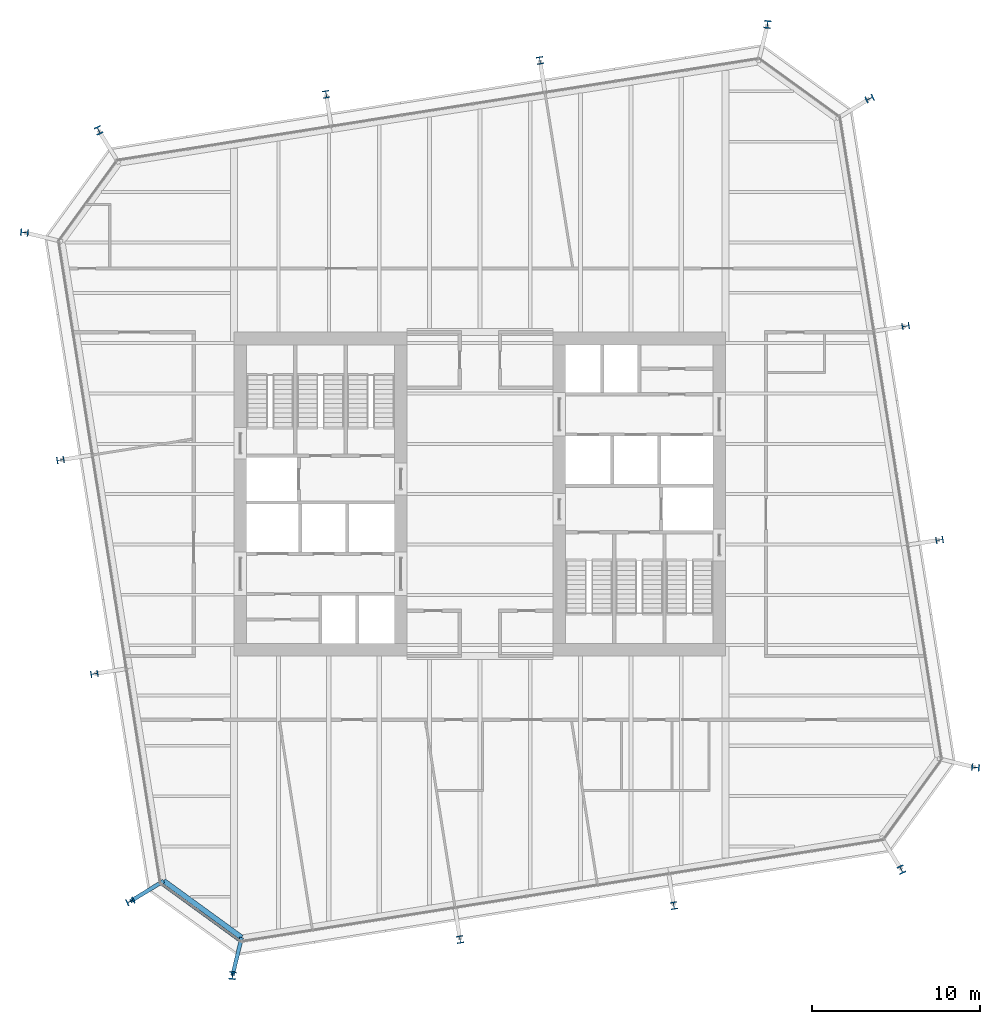
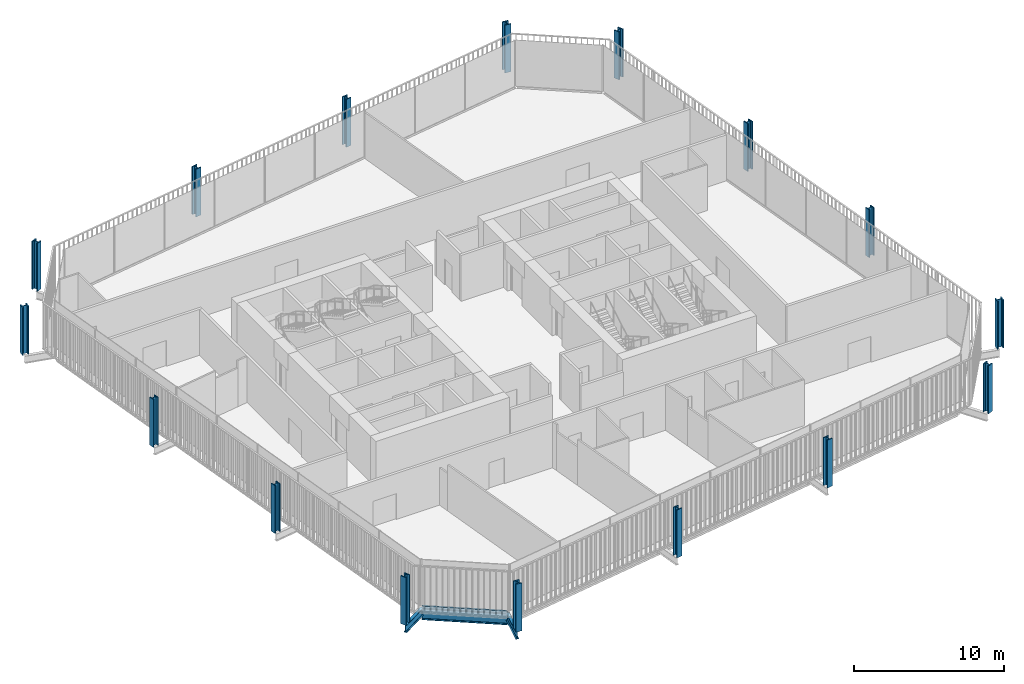
# One storey, part 1 of 21: 16 columns, 3 beams, 1 member, 1 element without a shape of its own.
"""IFC4 building model written with IfcOpenShell, lengths in metres."""

import ifcopenshell
import ifcopenshell.guid

model = None  # the IFC model being written
_history = None  # IfcOwnerHistory: only IFC2X3 demands one
_inside = {}  # id of a spatial element -> (the spatial element, [elements in it])
_under = {}  # id of a project, library or spatial element -> (it, [spatial elements below it])
_declared = {}  # id of a project -> (the project, [libraries it declares])
_typed = {}  # id of a type object -> (the type object, [elements of that type])
_made_of = {}  # id of a material, layer set ... -> (it, [elements and type objects made of it])


def new_model(schema):
    """Start an empty IFC model of exactly this schema.

    Asked for "IFC4X3", IfcOpenShell would pick the latest addendum, in which some entities
    have other attributes; the version numbers below select the first issue.
    IFC2X3 requires an IfcOwnerHistory on every rooted entity: one is made here for all.
    """
    global model, _history
    if schema == "IFC4X3":
        model = ifcopenshell.file(schema_version=(4, 3, 0, 0))
    else:
        model = ifcopenshell.file(schema=schema)
    _inside.clear()
    _under.clear()
    _declared.clear()
    _typed.clear()
    _made_of.clear()
    _history = None
    if model.schema == "IFC2X3":
        org = make("IfcOrganization", Name="unknown")
        user = make(
            "IfcPersonAndOrganization",
            ThePerson=make("IfcPerson", FamilyName="unknown"),
            TheOrganization=org,
        )
        app = make(
            "IfcApplication",
            ApplicationDeveloper=org,
            Version="unknown",
            ApplicationFullName="unknown",
            ApplicationIdentifier="unknown",
        )
        _history = make(
            "IfcOwnerHistory",
            OwningUser=user,
            OwningApplication=app,
            ChangeAction="ADDED",
            CreationDate=0,
        )
    return model


def make(cls, **values):
    """One entity of the class cls with the attributes given. An attribute that is None is left unset."""
    return model.create_entity(
        cls, **{name: value for name, value in values.items() if value is not None}
    )


def rooted(cls, **values):
    """An entity with a GlobalId (a new one), such as an element, a storey or a relation."""
    return make(cls, GlobalId=ifcopenshell.guid.new(), OwnerHistory=_history, **values)


def si_unit(unit_type, name, prefix=None):
    """IfcSIUnit, for example si_unit("LENGTHUNIT", "METRE", prefix="MILLI")."""
    return make("IfcSIUnit", UnitType=unit_type, Prefix=prefix, Name=name)


def assignment(units):
    """IfcUnitAssignment: the units of a project."""
    return None if units is None else make("IfcUnitAssignment", Units=units)


def point(xyz):
    """IfcCartesianPoint."""
    return None if xyz is None else make("IfcCartesianPoint", Coordinates=xyz)


def direction(xyz):
    """IfcDirection."""
    return None if xyz is None else make("IfcDirection", DirectionRatios=xyz)


def frame(location, z_axis=None, x_axis=None):
    """IfcAxis2Placement3D, a coordinate frame: its origin and axes. An axis left out is left unset."""
    return make(
        "IfcAxis2Placement3D",
        Location=point(location),
        Axis=direction(z_axis),
        RefDirection=direction(x_axis),
    )


def frame_2d(location, x_axis=None):
    """IfcAxis2Placement2D, a coordinate frame in the plane: its origin and x axis."""
    return make(
        "IfcAxis2Placement2D", Location=point(location), RefDirection=direction(x_axis)
    )


def origin():
    """The frame at (0, 0, 0) with its axes left unset."""
    return frame((0.0, 0.0, 0.0))


def origin_2d():
    """The frame at (0, 0) in the plane with its x axis left unset."""
    return frame_2d((0.0, 0.0))


def place(relative_to, where):
    """IfcLocalPlacement: puts the frame where relative to a parent placement (None: the world)."""
    return make(
        "IfcLocalPlacement", PlacementRelTo=relative_to, RelativePlacement=where
    )


def context(
    kind, dimensions, precision=None, world=None, true_north=None, identifier=None
):
    """IfcGeometricRepresentationContext, for example the 3D "Model" context."""
    return make(
        "IfcGeometricRepresentationContext",
        ContextIdentifier=identifier,
        ContextType=kind,
        CoordinateSpaceDimension=dimensions,
        Precision=precision,
        WorldCoordinateSystem=world,
        TrueNorth=true_north,
    )


def subcontext(parent, identifier, kind, view, scale=None):
    """IfcGeometricRepresentationSubContext, for example "Body" below "Model"."""
    return make(
        "IfcGeometricRepresentationSubContext",
        ContextIdentifier=identifier,
        ContextType=kind,
        ParentContext=parent,
        TargetScale=scale,
        TargetView=view,
    )


def project(units=None, contexts=None):
    """IfcProject with its units and contexts."""
    return rooted(
        "IfcProject",
        Name="project",
        RepresentationContexts=contexts,
        UnitsInContext=assignment(units),
    )


def spatial(cls, under=None, at=None, **own):
    """A site, building, storey or space (cls), placed at a placement, below another one or the project."""
    s = rooted(cls, ObjectPlacement=at, **own)
    if under is not None:
        _under.setdefault(under.id(), (under, []))[1].append(s)
    return s


def profile(cls, at=None, kind="AREA", **sizes):
    """A parametric profile (cls). Its sizes go by their IFC names, for example OverallWidth=200.0."""
    return make(cls, ProfileType=kind, Position=at, **sizes)


def rectangle(**sizes):
    """IfcRectangleProfileDef."""
    return profile("IfcRectangleProfileDef", **sizes)


def i_section(**sizes):
    """IfcIShapeProfileDef."""
    return profile("IfcIShapeProfileDef", **sizes)


def extrude(swept, where, along, depth):
    """IfcExtrudedAreaSolid: the profile swept, set in the frame where, extruded along a direction by depth."""
    return make(
        "IfcExtrudedAreaSolid",
        SweptArea=swept,
        Position=where,
        ExtrudedDirection=direction(along),
        Depth=depth,
    )


def shape(context_of_items, identifier, shape_type, items):
    """IfcShapeRepresentation: the items that make up one representation, for example the "Body"."""
    return make(
        "IfcShapeRepresentation",
        ContextOfItems=context_of_items,
        RepresentationIdentifier=identifier,
        RepresentationType=shape_type,
        Items=items,
    )


def material(Name=None, Category=None):
    """IfcMaterial."""
    return make("IfcMaterial", Name=Name, Category=Category)


def layer(
    of_material, thickness, ventilated=None, Name=None, Category=None, Priority=None
):
    """IfcMaterialLayer: one layer of a wall or slab, of a material (None: an air gap)."""
    return make(
        "IfcMaterialLayer",
        Material=of_material,
        LayerThickness=thickness,
        IsVentilated=ventilated,
        Name=Name,
        Category=Category,
        Priority=Priority,
    )


def layer_set(layers, Name=None):
    """IfcMaterialLayerSet."""
    return make("IfcMaterialLayerSet", MaterialLayers=layers, LayerSetName=Name)


def material_profile(
    of_material, cross_section, Name=None, Category=None, Priority=None
):
    """IfcMaterialProfile: a cross section and its material."""
    return make(
        "IfcMaterialProfile",
        Name=Name,
        Material=of_material,
        Profile=cross_section,
        Priority=Priority,
        Category=Category,
    )


def profile_set(profiles, Name=None, composite=None):
    """IfcMaterialProfileSet."""
    return make(
        "IfcMaterialProfileSet",
        Name=Name,
        MaterialProfiles=profiles,
        CompositeProfile=composite,
    )


def made_of(thing, what):
    """Note that an element or type object is made of a material, layer set ...; save() writes the relation."""
    if what is not None:
        _made_of.setdefault(what.id(), (what, []))[1].append(thing)
    return thing


def type_object(cls, material=None, **own):
    """A type object (cls), such as IfcWallType, which elements share."""
    return made_of(rooted(cls, **own), material)


def element(
    cls,
    number,
    at=None,
    inside=None,
    cuts=None,
    type_object=None,
    material=None,
    context=None,
    identifier="Body",
    shape_type=None,
    held_by="IfcProductDefinitionShape",
    body=None,
    shapes=None,
    **own,
):
    """One element of the class cls, such as IfcWall. Its Tag is "e" and its number.

    at: its placement. inside: the storey or other place that contains it. cuts: it is an
    opening in that element (IfcRelVoidsElement). A single representation is given by context,
    identifier, shape_type and body (its items); several are given by shapes. held_by: the class
    of the entity that holds the representations. save() writes the other relations.
    """
    e = rooted(cls, Tag="e%d" % number, ObjectPlacement=at, **own)
    if body is not None:
        shapes = [shape(context, identifier, shape_type, body)]
    if shapes is not None:
        e.Representation = make(held_by, Representations=shapes)
    if inside is not None:
        _inside.setdefault(inside.id(), (inside, []))[1].append(e)
    if cuts is not None:
        rooted(
            "IfcRelVoidsElement", RelatingBuildingElement=cuts, RelatedOpeningElement=e
        )
    if type_object is not None:
        _typed.setdefault(type_object.id(), (type_object, []))[1].append(e)
    return made_of(e, material)


def aggregate(whole, parts):
    """IfcRelAggregates: a whole, such as a stair, and the parts it consists of."""
    return rooted("IfcRelAggregates", RelatingObject=whole, RelatedObjects=parts)


def save(model, path):
    """Write the relations noted so far, then the file.

    IfcRelAggregates (storeys below a building ...), IfcRelContainedInSpatialStructure (elements
    in a storey), IfcRelDefinesByType, IfcRelAssociatesMaterial and IfcRelDeclares: one each for
    every whole, place, type object, material and project.
    """
    for whole, parts in _under.values():
        aggregate(whole, parts)
    for where, things in _inside.values():
        rooted(
            "IfcRelContainedInSpatialStructure",
            RelatedElements=things,
            RelatingStructure=where,
        )
    for kind, things in _typed.values():
        rooted("IfcRelDefinesByType", RelatedObjects=things, RelatingType=kind)
    for what, things in _made_of.values():
        rooted("IfcRelAssociatesMaterial", RelatedObjects=things, RelatingMaterial=what)
    for by, libraries in _declared.values():
        rooted("IfcRelDeclares", RelatingContext=by, RelatedDefinitions=libraries)
    model.write(path)


model = new_model("IFC4")

# Units and contexts
model_context = context("Model", 3, precision=1e-05, world=origin(), true_north=direction((0.0, 1.0)))
body_context = subcontext(model_context, "Body", "Model", "MODEL_VIEW")
ifc_project = project(units=[si_unit("LENGTHUNIT", "METRE"), si_unit("AREAUNIT", "SQUARE_METRE"), si_unit("VOLUMEUNIT", "CUBIC_METRE"), si_unit("PLANEANGLEUNIT", "RADIAN"), si_unit("MASSUNIT", "GRAM", prefix="KILO")], contexts=[model_context])

# Site, building, storey
site_placement = place(None, origin())
site = spatial("IfcSite", under=ifc_project, at=site_placement, CompositionType="ELEMENT")
building_placement = place(site_placement, origin())
building = spatial("IfcBuilding", under=site, at=building_placement, Name="Millrace Tower", CompositionType="ELEMENT")
storey_placement = place(building_placement, frame((0.0, 0.0, 149.0)))
storey = spatial("IfcBuildingStorey", under=building, at=storey_placement, Name="L33", CompositionType="ELEMENT", Elevation=149.0)

# Columns
ifc_material_1 = material(Name="Steel ASTM A913 Grade 65", Category="steel")
ifc_material_profile_1 = material_profile(ifc_material_1, i_section(OverallWidth=0.419189453125, OverallDepth=0.45458984375, WebThickness=0.042236328125, FlangeThickness=0.067626953125, FilletRadius=0.01513671875, at=origin_2d()))
ifc_profile_set_1 = profile_set([ifc_material_profile_1], Name="Steel ASTM A913 Grade 65")
column_type_1 = type_object("IfcColumnType", Name="Exoskeleton column W14x370", PredefinedType="COLUMN", material=ifc_profile_set_1)
for number, where, z_axis, x_axis, name in (
    (1, (-1.181396484375, -26.545166015625, 0.0), (0.0, 0.0, 1.0), (0.987688339156, 0.156434474125, 0.0), "COL-C-L33-X03"),
    (2, (11.5595703125, -24.527099609375, 0.0), (0.0, 0.0, 1.0), (0.987688338239, 0.156434479917, 0.0), "COL-C-L33-X04"),
    (3, (27.39501953125, -2.7314453125, 0.0), (0.0, 0.0, 1.0), (-0.156434474125, 0.987688339156, 0.0), "COL-C-L33-X07"),
    (4, (25.376953125, 10.009765625, 0.0), (0.0, 0.0, 1.0), (-0.156434479917, 0.987688338239, 0.0), "COL-C-L33-X08"),
    (5, (3.58154296875, 25.844970703125, 0.0), (0.0, 0.0, 1.0), (-0.987688339156, -0.156434474125, 0.0), "COL-C-L33-X11"),
    (6, (-9.15966796875, 23.8271484375, 0.0), (0.0, 0.0, 1.0), (-0.987688338239, -0.156434479917, 0.0), "COL-C-L33-X12"),
    (7, (-24.9951171875, 2.031494140625, 0.0), (0.0, 0.0, 1.0), (0.156434474125, -0.987688339156, 0.0), "COL-C-L33-X15"),
    (8, (-22.97705078125, -10.709716796875, 0.0), (0.0, 0.0, 1.0), (0.156434479917, -0.987688338239, 0.0), "COL-C-L33-X16"),
):
    element("IfcColumn", number, at=place(storey_placement, frame(where, z_axis=z_axis, x_axis=x_axis)), inside=storey, type_object=column_type_1, Name=name, PredefinedType="COLUMN", context=body_context, shape_type="SweptSolid", body=[
        extrude(i_section(OverallWidth=0.419189453125, OverallDepth=0.45458984375, WebThickness=0.042236328125, FlangeThickness=0.067626953125, FilletRadius=0.01513671875, at=origin_2d()), origin(), (0.0, 0.0, 1.0), 3.89990234375),
    ])
ifc_material_2 = material(Name="Steel ASTM A913 Grade 65", Category="steel")
ifc_material_profile_2 = material_profile(ifc_material_2, i_section(OverallWidth=0.4267578125, OverallDepth=0.482666015625, WebThickness=0.05126953125, FlangeThickness=0.08154296875, FilletRadius=0.01513671875, at=origin_2d()))
ifc_profile_set_2 = profile_set([ifc_material_profile_2], Name="Steel ASTM A913 Grade 65")
column_type_2 = type_object("IfcColumnType", Name="Exoskeleton column W14x455", PredefinedType="COLUMN", material=ifc_profile_set_2)
for number, where, z_axis, x_axis, name in (
    (9, (-20.829345703125, -24.26904296875, 0.0), (0.0, 0.0, 1.0), (0.416401106568, -0.909181015227, 0.0), "COL-C-L33-X01"),
    (10, (-14.740966796875, -28.692626953125, 0.0), (0.0, 0.0, 1.0), (0.993357548409, -0.115068592665, 0.0), "COL-C-L33-X02"),
    (11, (25.119140625, -22.37939453125, 0.0), (0.0, 0.0, 1.0), (0.909181015227, 0.416401106568, 0.0), "COL-C-L33-X05"),
    (12, (29.542724609375, -16.291015625, 0.0), (0.0, 0.0, 1.0), (0.115068592665, 0.993357548409, 0.0), "COL-C-L33-X06"),
    (13, (23.2294921875, 23.569091796875, 0.0), (0.0, 0.0, 1.0), (-0.416401106568, 0.909181015227, 0.0), "COL-C-L33-X09"),
    (14, (17.140869140625, 27.99267578125, 0.0), (0.0, 0.0, 1.0), (-0.993357548409, 0.115068592665, 0.0), "COL-C-L33-X10"),
    (15, (-22.718994140625, 21.679443359375, 0.0), (0.0, 0.0, 1.0), (-0.909181015227, -0.416401106568, 0.0), "COL-C-L33-X13"),
    (16, (-27.142578125, 15.5908203125, 0.0), (0.0, 0.0, 1.0), (-0.115068592665, -0.993357548409, 0.0), "COL-C-L33-X14"),
):
    element("IfcColumn", number, at=place(storey_placement, frame(where, z_axis=z_axis, x_axis=x_axis)), inside=storey, type_object=column_type_2, Name=name, PredefinedType="COLUMN", context=body_context, shape_type="SweptSolid", body=[
        extrude(i_section(OverallWidth=0.4267578125, OverallDepth=0.482666015625, WebThickness=0.05126953125, FlangeThickness=0.08154296875, FilletRadius=0.01513671875, at=origin_2d()), origin(), (0.0, 0.0, 1.0), 3.89990234375),
    ])

# Curtain wall, member
ifc_material_3 = material(Name="Aluminium and glass", Category="aluminium")
ifc_layer = layer(ifc_material_3, 0.14990234375)
ifc_layer_set = layer_set([ifc_layer], Name="Aluminium and glass")
curtain_wall_type = type_object("IfcCurtainWallType", Name="CW-1 office vision curtain wall", PredefinedType="NOTDEFINED", material=ifc_layer_set)
curtain_wall_placement = place(storey_placement, origin())
curtain_wall = element("IfcCurtainWall", 17, at=curtain_wall_placement, inside=storey, type_object=curtain_wall_type, Name="Curtain wall C-F01 L33", PredefinedType="NOTDEFINED")
ifc_material_4 = material(Name="Aluminium", Category="aluminium")
ifc_material_profile_3 = material_profile(ifc_material_4, rectangle(XDim=0.14990234375, YDim=0.139892578125, at=origin_2d()))
ifc_profile_set_3 = profile_set([ifc_material_profile_3], Name="Aluminium")
member_type = type_object("IfcMemberType", Name="CW-1 office vision curtain wall transom", PredefinedType="USERDEFINED", material=ifc_profile_set_3)
member_placement = place(storey_placement, frame((-18.94677734375, -23.25732421875, 0.070068359375), z_axis=(0.808998591139, -0.587810581339, 0.0), x_axis=(0.587810581339, 0.808998591139, 0.0)))
member = element("IfcMember", 18, at=member_placement, type_object=member_type, Name="CW1 transom C-F01.1", ObjectType="TRANSOM", PredefinedType="USERDEFINED", context=body_context, shape_type="SweptSolid", body=[
    extrude(rectangle(XDim=0.14990234375, YDim=0.139892578125, at=origin_2d()), origin(), (0.0, 0.0, 1.0), 5.6689453125),
])
aggregate(curtain_wall, [member])

# Beams
ifc_material_5 = material(Name="Steel ASTM A992 Grade 50", Category="steel")
ifc_material_profile_4 = material_profile(ifc_material_5, i_section(OverallWidth=0.23046875, OverallDepth=0.6171875, WebThickness=0.01318359375, FlangeThickness=0.022216796875, FilletRadius=0.012939453125, at=origin_2d()))
ifc_profile_set_4 = profile_set([ifc_material_profile_4], Name="Steel ASTM A992 Grade 50")
beam_type_1 = type_object("IfcBeamType", Name="Link beam W24x94", PredefinedType="BEAM", material=ifc_profile_set_4)
for number, where, z_axis, x_axis, name in (
    (19, (-18.841796875, -23.051025390625, -0.468505859375), (-0.852631355792, -0.522512938711, 0.0), (0.522512938711, -0.852631355792, 0.0), "LNK-C-L33-S1-01"),
    (20, (-14.19677734375, -26.426025390625, -0.468505859375), (-0.233456138164, -0.972367333652, 0.0), (0.972367333652, -0.233456138164, 0.0), "LNK-C-L33-S1-16"),
):
    element("IfcBeam", number, at=place(storey_placement, frame(where, z_axis=z_axis, x_axis=x_axis)), inside=storey, type_object=beam_type_1, Name=name, PredefinedType="BEAM", context=body_context, shape_type="SweptSolid", body=[
        extrude(i_section(OverallWidth=0.23046875, OverallDepth=0.6171875, WebThickness=0.01318359375, FlangeThickness=0.022216796875, FilletRadius=0.012939453125, at=origin_2d()), origin(), (0.0, 0.0, 1.0), 2.3310546875),
    ])
ifc_material_6 = material(Name="Steel ASTM A992 Grade 50", Category="steel")
ifc_material_profile_5 = material_profile(ifc_material_6, i_section(OverallWidth=0.307373046875, OverallDepth=0.927001953125, WebThickness=0.01953125, FlangeThickness=0.031982421875, FilletRadius=0.01904296875, at=origin_2d()))
ifc_profile_set_5 = profile_set([ifc_material_profile_5], Name="Steel ASTM A992 Grade 50")
beam_type_2 = type_object("IfcBeamType", Name="Ring beam short span W36x194", PredefinedType="SPANDREL", material=ifc_profile_set_5)
beam_placement = place(storey_placement, frame((-14.19677734375, -26.426025390625, -0.62353515625), z_axis=(-0.80900078054, 0.587807568074, 0.0), x_axis=(-0.587807568074, -0.80900078054, 0.0)))
element("IfcBeam", 21, at=beam_placement, inside=storey, type_object=beam_type_2, Name="RNG-C-L33-S1-16", PredefinedType="SPANDREL", context=body_context, shape_type="SweptSolid", body=[
    extrude(i_section(OverallWidth=0.307373046875, OverallDepth=0.927001953125, WebThickness=0.01953125, FlangeThickness=0.031982421875, FilletRadius=0.01904296875, at=origin_2d()), origin(), (0.0, 0.0, 1.0), 5.74169921875),
])

save(model, "model.ifc")
